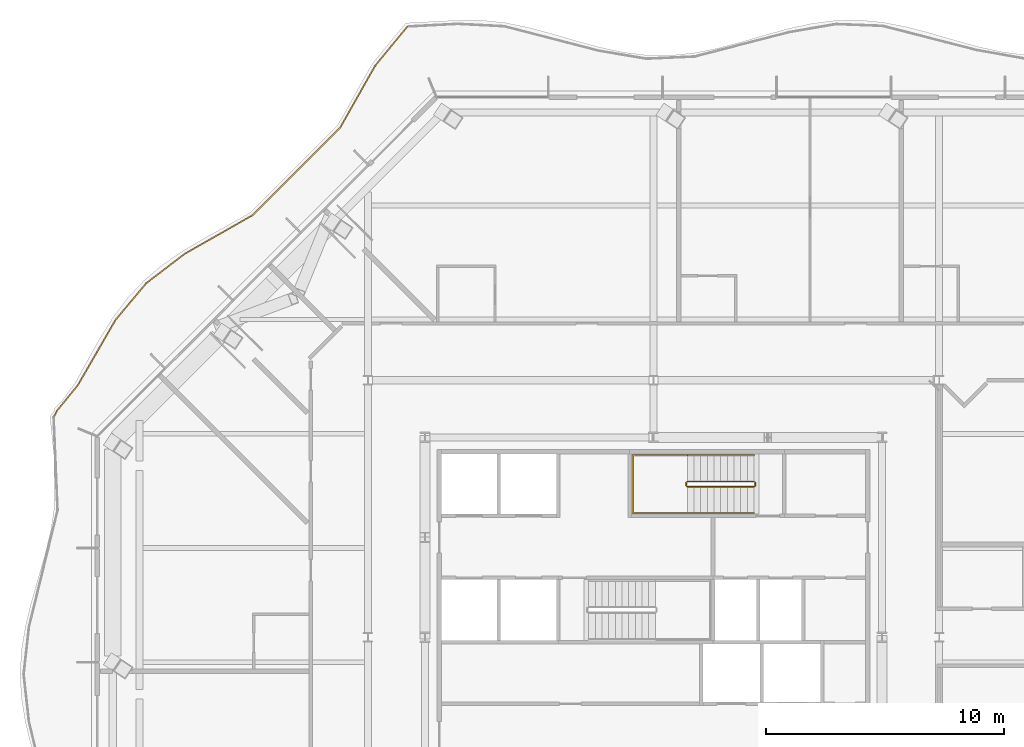
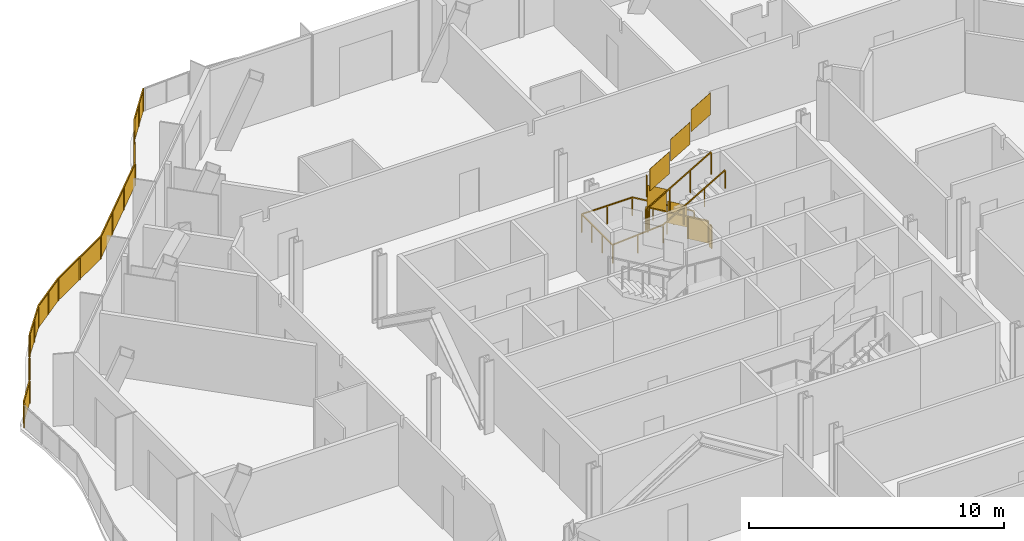
# One storey, part 18 of 19: 4 railings.
"""IFC4 building model written with IfcOpenShell, lengths in metres."""

from ifc_helpers import new_model, si_unit, direction, frame, origin, origin_2d, place, context, subcontext, project, spatial, polyline, rectangle, outline, extrude, material, type_object, element, save


model = new_model("IFC4")

# Units and contexts
model_context = context("Model", 3, precision=1e-05, world=origin(), true_north=direction((0.0, 1.0)))
body_context = subcontext(model_context, "Body", "Model", "MODEL_VIEW")
ifc_project = project(units=[si_unit("LENGTHUNIT", "METRE"), si_unit("AREAUNIT", "SQUARE_METRE"), si_unit("VOLUMEUNIT", "CUBIC_METRE"), si_unit("PLANEANGLEUNIT", "RADIAN"), si_unit("MASSUNIT", "GRAM", prefix="KILO")], contexts=[model_context])

# Site, building, storey
site_placement = place(None, origin())
site = spatial("IfcSite", under=ifc_project, at=site_placement, CompositionType="ELEMENT")
building_placement = place(site_placement, origin())
building = spatial("IfcBuilding", under=site, at=building_placement, Name="Cairn Pilgrim Tower", CompositionType="ELEMENT")
storey_placement = place(building_placement, frame((0.0, 0.0, 190.199951171875)))
storey = spatial("IfcBuildingStorey", under=building, at=storey_placement, Name="L48", CompositionType="ELEMENT", Elevation=190.199951171875)

# Railings
ifc_material_1 = material(Name="Bronze anodised aluminium rail and posts with laminated glass infill", Category="aluminium")
railing_type_1 = type_object("IfcRailingType", Name="BALCONY GUARD 1100", PredefinedType="GUARDRAIL", material=ifc_material_1)
railing_1_placement = place(storey_placement, frame((-3.139404296875, 28.072509765625, 0.0)))
element("IfcRailing", 1, at=railing_1_placement, inside=storey, type_object=railing_type_1, Name="Balcony guard BG-8", PredefinedType="GUARDRAIL", context=body_context, shape_type="SweptSolid", body=[
    extrude(rectangle(XDim=0.050048828125, YDim=0.050048828125, at=origin_2d()), frame((0.0, 0.0, 1.0751953125), z_axis=(-0.63563519836, -0.771989568975, 0.0), x_axis=(0.771989568975, -0.63563519836, 0.0)), (0.0, 0.0, 1.0), 2.137939453125),
    extrude(rectangle(XDim=0.050048828125, YDim=0.050048828125, at=origin_2d()), frame((-1.35888671875, -1.650390625, 1.0751953125), z_axis=(-0.492065322069, -0.870558279966, 0.0), x_axis=(0.870558279966, -0.492065322069, 0.0)), (0.0, 0.0, 1.0), 2.992431640625),
    extrude(rectangle(XDim=0.050048828125, YDim=0.050048828125, at=origin_2d()), frame((-2.831298828125, -4.25537109375, 1.0751953125), z_axis=(-0.707106781187, -0.707106781187, 0.0), x_axis=(0.707106781187, -0.707106781187, 0.0)), (0.0, 0.0, 1.0), 5.194091796875),
    extrude(rectangle(XDim=0.050048828125, YDim=0.050048828125, at=origin_2d()), frame((-6.504150390625, -7.92822265625, 1.0751953125), z_axis=(-0.86887566565, -0.495030380523, 0.0), x_axis=(0.495030380523, -0.86887566565, 0.0)), (0.0, 0.0, 1.0), 3.2978515625),
    extrude(rectangle(XDim=0.050048828125, YDim=0.050048828125, at=origin_2d()), frame((-9.36962890625, -9.560791015625, 1.0751953125), z_axis=(-0.794491090298, -0.607275808375, 0.0), x_axis=(0.607275808375, -0.794491090298, 0.0)), (0.0, 0.0, 1.0), 2.02783203125),
    extrude(rectangle(XDim=0.050048828125, YDim=0.050048828125, at=origin_2d()), frame((-10.980712890625, -10.792236328125, 1.0751953125), z_axis=(-0.641744451095, -0.766918548145, 0.0), x_axis=(0.766918548145, -0.641744451095, 0.0)), (0.0, 0.0, 1.0), 2.014892578125),
    extrude(rectangle(XDim=0.050048828125, YDim=0.050048828125, at=origin_2d()), frame((-12.273681640625, -12.33740234375, 1.0751953125), z_axis=(-0.499851692438, -0.866111012265, 0.0), x_axis=(0.866111012265, -0.499851692438, 0.0)), (0.0, 0.0, 1.0), 3.16162109375),
    extrude(rectangle(XDim=0.050048828125, YDim=0.050048828125, at=origin_2d()), frame((-13.85400390625, -15.07568359375, 1.0751953125), z_axis=(-0.632043617994, -0.774932813186, 0.0), x_axis=(0.774932813186, -0.632043617994, 0.0)), (0.0, 0.0, 1.0), 1.392578125),
    extrude(rectangle(XDim=0.050048828125, YDim=0.050048828125, at=origin_2d()), frame((-14.734130859375, -16.15478515625, 1.0751953125), z_axis=(-0.453750584985, -0.891128726182, 0.0), x_axis=(0.891128726182, -0.453750584985, 0.0)), (0.0, 0.0, 1.0), 0.313232421875),
    extrude(rectangle(XDim=0.050048828125, YDim=0.050048828125, at=origin_2d()), origin(), (0.0, 0.0, 1.0), 1.050048828125),
    extrude(rectangle(XDim=0.050048828125, YDim=0.050048828125, at=origin_2d()), frame((-0.679443359375, -0.8251953125, 0.0)), (0.0, 0.0, 1.0), 1.050048828125),
    extrude(rectangle(XDim=0.050048828125, YDim=0.050048828125, at=origin_2d()), frame((-1.35888671875, -1.650390625, 0.0)), (0.0, 0.0, 1.0), 1.050048828125),
    extrude(rectangle(XDim=0.050048828125, YDim=0.050048828125, at=origin_2d()), frame((-2.09521484375, -2.952880859375, 0.0)), (0.0, 0.0, 1.0), 1.050048828125),
    extrude(rectangle(XDim=0.050048828125, YDim=0.050048828125, at=origin_2d()), frame((-2.831298828125, -4.25537109375, 0.0)), (0.0, 0.0, 1.0), 1.050048828125),
    extrude(rectangle(XDim=0.050048828125, YDim=0.050048828125, at=origin_2d()), frame((-4.0556640625, -5.479736328125, 0.0)), (0.0, 0.0, 1.0), 1.050048828125),
    extrude(rectangle(XDim=0.050048828125, YDim=0.050048828125, at=origin_2d()), frame((-5.27978515625, -6.703857421875, 0.0)), (0.0, 0.0, 1.0), 1.050048828125),
    extrude(rectangle(XDim=0.050048828125, YDim=0.050048828125, at=origin_2d()), frame((-6.504150390625, -7.92822265625, 0.0)), (0.0, 0.0, 1.0), 1.050048828125),
    extrude(rectangle(XDim=0.050048828125, YDim=0.050048828125, at=origin_2d()), frame((-7.93701171875, -8.74462890625, 0.0)), (0.0, 0.0, 1.0), 1.050048828125),
    extrude(rectangle(XDim=0.050048828125, YDim=0.050048828125, at=origin_2d()), frame((-9.36962890625, -9.560791015625, 0.0)), (0.0, 0.0, 1.0), 1.050048828125),
    extrude(rectangle(XDim=0.050048828125, YDim=0.050048828125, at=origin_2d()), frame((-10.17529296875, -10.176513671875, 0.0)), (0.0, 0.0, 1.0), 1.050048828125),
    extrude(rectangle(XDim=0.050048828125, YDim=0.050048828125, at=origin_2d()), frame((-10.980712890625, -10.792236328125, 0.0)), (0.0, 0.0, 1.0), 1.050048828125),
    extrude(rectangle(XDim=0.050048828125, YDim=0.050048828125, at=origin_2d()), frame((-11.627197265625, -11.56494140625, 0.0)), (0.0, 0.0, 1.0), 1.050048828125),
    extrude(rectangle(XDim=0.050048828125, YDim=0.050048828125, at=origin_2d()), frame((-12.273681640625, -12.33740234375, 0.0)), (0.0, 0.0, 1.0), 1.050048828125),
    extrude(rectangle(XDim=0.050048828125, YDim=0.050048828125, at=origin_2d()), frame((-13.06396484375, -13.70654296875, 0.0)), (0.0, 0.0, 1.0), 1.050048828125),
    extrude(rectangle(XDim=0.050048828125, YDim=0.050048828125, at=origin_2d()), frame((-13.85400390625, -15.07568359375, 0.0)), (0.0, 0.0, 1.0), 1.050048828125),
    extrude(rectangle(XDim=0.050048828125, YDim=0.050048828125, at=origin_2d()), frame((-14.734130859375, -16.15478515625, 0.0)), (0.0, 0.0, 1.0), 1.050048828125),
    extrude(rectangle(XDim=0.050048828125, YDim=0.050048828125, at=origin_2d()), frame((-14.876220703125, -16.433837890625, 0.0)), (0.0, 0.0, 1.0), 1.050048828125),
    extrude(outline(polyline([(0.02490234375, 0.0), (1.0439453125, 0.0), (1.0439453125, 1.050048828125), (0.02490234375, 1.050048828125), (0.02490234375, 0.0)])), frame((0.004638671875, -0.00390625, 0.0), z_axis=(-0.771989568975, 0.63563519836, 0.0), x_axis=(-0.63563519836, -0.771989568975, 0.0)), (0.0, 0.0, 1.0), 0.011962890625),
    extrude(outline(polyline([(0.02490234375, 0.0), (1.0439453125, 0.0), (1.0439453125, 1.050048828125), (0.02490234375, 1.050048828125), (0.02490234375, 0.0)])), frame((-0.6748046875, -0.8291015625, 0.0), z_axis=(-0.771989568975, 0.63563519836, 0.0), x_axis=(-0.63563519836, -0.771989568975, 0.0)), (0.0, 0.0, 1.0), 0.011962890625),
    extrude(outline(polyline([(0.02490234375, 0.0), (1.47119140625, 0.0), (1.47119140625, 1.050048828125), (0.02490234375, 1.050048828125), (0.02490234375, 0.0)])), frame((-1.353759765625, -1.6533203125, 0.0), z_axis=(-0.870558279966, 0.492065322069, 0.0), x_axis=(-0.492065322069, -0.870558279966, 0.0)), (0.0, 0.0, 1.0), 0.011962890625),
    extrude(outline(polyline([(0.02490234375, 0.0), (1.47119140625, 0.0), (1.47119140625, 1.050048828125), (0.02490234375, 1.050048828125), (0.02490234375, 0.0)])), frame((-2.08984375, -2.955810546875, 0.0), z_axis=(-0.870558279966, 0.492065322069, 0.0), x_axis=(-0.492065322069, -0.870558279966, 0.0)), (0.0, 0.0, 1.0), 0.011962890625),
    extrude(outline(polyline([(0.02490234375, 0.0), (1.706298828125, 0.0), (1.706298828125, 1.050048828125), (0.02490234375, 1.050048828125), (0.02490234375, 0.0)])), frame((-2.8271484375, -4.259521484375, 0.0), z_axis=(-0.707106781187, 0.707106781187, 0.0), x_axis=(-0.707106781187, -0.707106781187, 0.0)), (0.0, 0.0, 1.0), 0.011962890625),
    extrude(outline(polyline([(0.02490234375, 0.0), (1.706298828125, 0.0), (1.706298828125, 1.050048828125), (0.02490234375, 1.050048828125), (0.02490234375, 0.0)])), frame((-4.05126953125, -5.48388671875, 0.0), z_axis=(-0.707106781187, 0.707106781187, 0.0), x_axis=(-0.707106781187, -0.707106781187, 0.0)), (0.0, 0.0, 1.0), 0.011962890625),
    extrude(outline(polyline([(0.02490234375, 0.0), (1.706298828125, 0.0), (1.706298828125, 1.050048828125), (0.02490234375, 1.050048828125), (0.02490234375, 0.0)])), frame((-5.275634765625, -6.708251953125, 0.0), z_axis=(-0.707106781187, 0.707106781187, 0.0), x_axis=(-0.707106781187, -0.707106781187, 0.0)), (0.0, 0.0, 1.0), 0.011962890625),
    extrude(outline(polyline([(0.02490234375, 0.0), (1.6240234375, 0.0), (1.6240234375, 1.050048828125), (0.02490234375, 1.050048828125), (0.02490234375, 0.0)])), frame((-6.501220703125, -7.933349609375, 0.0), z_axis=(-0.495030380523, 0.86887566565, 0.0), x_axis=(-0.86887566565, -0.495030380523, 0.0)), (0.0, 0.0, 1.0), 0.011962890625),
    extrude(outline(polyline([(0.02490234375, 0.0), (1.6240234375, 0.0), (1.6240234375, 1.050048828125), (0.02490234375, 1.050048828125), (0.02490234375, 0.0)])), frame((-7.933837890625, -8.749755859375, 0.0), z_axis=(-0.495030380523, 0.86887566565, 0.0), x_axis=(-0.86887566565, -0.495030380523, 0.0)), (0.0, 0.0, 1.0), 0.011962890625),
    extrude(outline(polyline([(0.02490234375, 0.0), (0.98876953125, 0.0), (0.98876953125, 1.050048828125), (0.02490234375, 1.050048828125), (0.02490234375, 0.0)])), frame((-9.365966796875, -9.5654296875, 0.0), z_axis=(-0.607275808375, 0.794491090298, 0.0), x_axis=(-0.794491090298, -0.607275808375, 0.0)), (0.0, 0.0, 1.0), 0.011962890625),
    extrude(outline(polyline([(0.02490234375, 0.0), (0.98876953125, 0.0), (0.98876953125, 1.050048828125), (0.02490234375, 1.050048828125), (0.02490234375, 0.0)])), frame((-10.171630859375, -10.18115234375, 0.0), z_axis=(-0.607275808375, 0.794491090298, 0.0), x_axis=(-0.794491090298, -0.607275808375, 0.0)), (0.0, 0.0, 1.0), 0.011962890625),
    extrude(outline(polyline([(0.02490234375, 0.0), (0.982421875, 0.0), (0.982421875, 1.050048828125), (0.02490234375, 1.050048828125), (0.02490234375, 0.0)])), frame((-10.97607421875, -10.796142578125, 0.0), z_axis=(-0.766918548145, 0.641744451095, 0.0), x_axis=(-0.641744451095, -0.766918548145, 0.0)), (0.0, 0.0, 1.0), 0.011962890625),
    extrude(outline(polyline([(0.02490234375, 0.0), (0.982421875, 0.0), (0.982421875, 1.050048828125), (0.02490234375, 1.050048828125), (0.02490234375, 0.0)])), frame((-11.62255859375, -11.568603515625, 0.0), z_axis=(-0.766918548145, 0.641744451095, 0.0), x_axis=(-0.641744451095, -0.766918548145, 0.0)), (0.0, 0.0, 1.0), 0.011962890625),
    extrude(outline(polyline([(0.02490234375, 0.0), (1.5556640625, 0.0), (1.5556640625, 1.050048828125), (0.02490234375, 1.050048828125), (0.02490234375, 0.0)])), frame((-12.2685546875, -12.34033203125, 0.0), z_axis=(-0.866111012265, 0.499851692438, 0.0), x_axis=(-0.499851692438, -0.866111012265, 0.0)), (0.0, 0.0, 1.0), 0.011962890625),
    extrude(outline(polyline([(0.02490234375, 0.0), (1.5556640625, 0.0), (1.5556640625, 1.050048828125), (0.02490234375, 1.050048828125), (0.02490234375, 0.0)])), frame((-13.05859375, -13.70947265625, 0.0), z_axis=(-0.866111012265, 0.499851692438, 0.0), x_axis=(-0.499851692438, -0.866111012265, 0.0)), (0.0, 0.0, 1.0), 0.011962890625),
    extrude(outline(polyline([(0.02490234375, 0.0), (1.367431640625, 0.0), (1.367431640625, 1.050048828125), (0.02490234375, 1.050048828125), (0.02490234375, 0.0)])), frame((-13.849365234375, -15.079345703125, 0.0), z_axis=(-0.774932813186, 0.632043617994, 0.0), x_axis=(-0.632043617994, -0.774932813186, 0.0)), (0.0, 0.0, 1.0), 0.011962890625),
    extrude(outline(polyline([(0.02490234375, 0.0), (0.2880859375, 0.0), (0.2880859375, 1.050048828125), (0.02490234375, 1.050048828125), (0.02490234375, 0.0)])), frame((-14.728759765625, -16.157470703125, 0.0), z_axis=(-0.891128726182, 0.453750584985, 0.0), x_axis=(-0.453750584985, -0.891128726182, 0.0)), (0.0, 0.0, 1.0), 0.011962890625),
])
ifc_material_2 = material(Name="Painted steel", Category="steel")
railing_type_2 = type_object("IfcRailingType", Name="STAIR GUARD 1100", PredefinedType="GUARDRAIL", material=ifc_material_2)
railing_2_placement = place(storey_placement, frame((11.425048828125, 8.949951171875, 0.16357421875)))
element("IfcRailing", 2, at=railing_2_placement, inside=storey, type_object=railing_type_2, Name="L48 ST-C stair guard 1", PredefinedType="GUARDRAIL", context=body_context, shape_type="SweptSolid", body=[
    extrude(rectangle(XDim=0.048095703125, YDim=0.048095703125, at=origin_2d()), frame((0.0, 0.0, 1.076171875), z_axis=(-0.863360870873, 0.0, 0.504586966384), x_axis=(0.0, -1.0, 0.0)), (0.0, 0.0, 1.0), 3.2431640625),
    extrude(rectangle(XDim=0.048095703125, YDim=0.048095703125, at=origin_2d()), frame((-2.800048828125, 0.0, 2.71240234375), z_axis=(-0.707106781187, -0.707106781187, 0.0), x_axis=(0.707106781187, -0.707106781187, 0.0)), (0.0, 0.0, 1.0), 0.07080078125),
    extrude(rectangle(XDim=0.048095703125, YDim=0.048095703125, at=origin_2d()), frame((-2.85009765625, -0.050048828125, 2.71240234375), z_axis=(0.0, -1.0, 0.0), x_axis=(1.0, 0.0, 0.0)), (0.0, 0.0, 1.0), 0.125),
    extrude(rectangle(XDim=0.048095703125, YDim=0.048095703125, at=origin_2d()), frame((-2.85009765625, -0.175048828125, 2.71240234375), z_axis=(0.280916556609, -0.279546231943, 0.91811752648), x_axis=(0.705375805398, 0.708833529934, 0.0)), (0.0, 0.0, 1.0), 0.17822265625),
    extrude(rectangle(XDim=0.048095703125, YDim=0.048095703125, at=origin_2d()), frame((-2.800048828125, -0.224853515625, 2.8759765625), z_axis=(0.863360870873, 0.0, 0.504586966384), x_axis=(0.0, 1.0, 0.0)), (0.0, 0.0, 1.0), 3.2431640625),
    extrude(rectangle(XDim=0.0419921875, YDim=0.0419921875, at=origin_2d()), origin(), (0.0, 0.0, 1.0), 1.052001953125),
    extrude(rectangle(XDim=0.0419921875, YDim=0.0419921875, at=origin_2d()), frame((-0.933349609375, 0.0, 0.54541015625)), (0.0, 0.0, 1.0), 1.052001953125),
    extrude(rectangle(XDim=0.0419921875, YDim=0.0419921875, at=origin_2d()), frame((-1.86669921875, 0.0, 1.091064453125)), (0.0, 0.0, 1.0), 1.052001953125),
    extrude(rectangle(XDim=0.0419921875, YDim=0.0419921875, at=origin_2d()), frame((-2.800048828125, 0.0, 1.636474609375)), (0.0, 0.0, 1.0), 1.052001953125),
    extrude(rectangle(XDim=0.0419921875, YDim=0.0419921875, at=origin_2d()), frame((-2.85009765625, -0.050048828125, 1.636474609375)), (0.0, 0.0, 1.0), 1.052001953125),
    extrude(rectangle(XDim=0.0419921875, YDim=0.0419921875, at=origin_2d()), frame((-2.85009765625, -0.175048828125, 1.636474609375)), (0.0, 0.0, 1.0), 1.052001953125),
    extrude(rectangle(XDim=0.0419921875, YDim=0.0419921875, at=origin_2d()), frame((-2.800048828125, -0.224853515625, 1.800048828125)), (0.0, 0.0, 1.0), 1.052001953125),
    extrude(rectangle(XDim=0.0419921875, YDim=0.0419921875, at=origin_2d()), frame((-1.86669921875, -0.224853515625, 2.345458984375)), (0.0, 0.0, 1.0), 1.052001953125),
    extrude(rectangle(XDim=0.0419921875, YDim=0.0419921875, at=origin_2d()), frame((-0.933349609375, -0.224853515625, 2.89111328125)), (0.0, 0.0, 1.0), 1.052001953125),
    extrude(rectangle(XDim=0.0419921875, YDim=0.0419921875, at=origin_2d()), frame((0.0, -0.224853515625, 3.4365234375)), (0.0, 0.0, 1.0), 1.052001953125),
    extrude(outline(polyline([(0.02099609375, 0.01220703125), (0.912353515625, 0.533203125), (0.912353515625, 1.585205078125), (0.02099609375, 1.064208984375), (0.02099609375, 0.01220703125)])), frame((0.0, -0.005859375, 0.0), z_axis=(0.0, 1.0, 0.0), x_axis=(-1.0, 0.0, 0.0)), (0.0, 0.0, 1.0), 0.011962890625),
    extrude(outline(polyline([(0.02099609375, 0.557861328125), (0.912353515625, 1.07861328125), (0.912353515625, 2.130615234375), (0.02099609375, 1.60986328125), (0.02099609375, 0.557861328125)])), frame((-0.933349609375, -0.005859375, 0.54541015625), z_axis=(0.0, 1.0, 0.0), x_axis=(-1.0, 0.0, 0.0)), (0.0, 0.0, 1.0), 0.011962890625),
    extrude(outline(polyline([(0.02099609375, 1.103271484375), (0.912353515625, 1.624267578125), (0.912353515625, 2.67626953125), (0.02099609375, 2.1552734375), (0.02099609375, 1.103271484375)])), frame((-1.86669921875, -0.005859375, 1.091064453125), z_axis=(0.0, 1.0, 0.0), x_axis=(-1.0, 0.0, 0.0)), (0.0, 0.0, 1.0), 0.011962890625),
    extrude(outline(polyline([(0.02099609375, 1.636474609375), (0.10400390625, 1.636474609375), (0.10400390625, 2.6884765625), (0.02099609375, 2.6884765625), (0.02099609375, 1.636474609375)])), frame((-2.84423828125, -0.050048828125, 1.636474609375), z_axis=(-1.0, 0.0, 0.0), x_axis=(0.0, -1.0, 0.0)), (0.0, 0.0, 1.0), 0.011962890625),
    extrude(outline(polyline([(0.02099609375, 1.812255859375), (0.912353515625, 2.333251953125), (0.912353515625, 3.38525390625), (0.02099609375, 2.8642578125), (0.02099609375, 1.812255859375)])), frame((-2.800048828125, -0.21875, 1.800048828125), z_axis=(0.0, -1.0, 0.0), x_axis=(1.0, 0.0, 0.0)), (0.0, 0.0, 1.0), 0.011962890625),
    extrude(outline(polyline([(0.02099609375, 2.35791015625), (0.912353515625, 2.878662109375), (0.912353515625, 3.9306640625), (0.02099609375, 3.409912109375), (0.02099609375, 2.35791015625)])), frame((-1.86669921875, -0.21875, 2.345458984375), z_axis=(0.0, -1.0, 0.0), x_axis=(1.0, 0.0, 0.0)), (0.0, 0.0, 1.0), 0.011962890625),
    extrude(outline(polyline([(0.02099609375, 2.9033203125), (0.912353515625, 3.42431640625), (0.912353515625, 4.476318359375), (0.02099609375, 3.955322265625), (0.02099609375, 2.9033203125)])), frame((-0.933349609375, -0.21875, 2.89111328125), z_axis=(0.0, -1.0, 0.0), x_axis=(1.0, 0.0, 0.0)), (0.0, 0.0, 1.0), 0.011962890625),
])
railing_3_placement = place(storey_placement, frame((11.47509765625, 8.89990234375, 0.0)))
element("IfcRailing", 3, at=railing_3_placement, inside=storey, type_object=railing_type_2, Name="L48 ST-C stair guard 2", PredefinedType="GUARDRAIL", context=body_context, shape_type="SweptSolid", body=[
    extrude(rectangle(XDim=0.048095703125, YDim=0.048095703125, at=origin_2d()), frame((0.0, 0.0, 1.076171875), z_axis=(0.0, -1.0, 0.0), x_axis=(1.0, 0.0, 0.0)), (0.0, 0.0, 1.0), 0.125),
    extrude(rectangle(XDim=0.0419921875, YDim=0.0419921875, at=origin_2d()), origin(), (0.0, 0.0, 1.0), 1.052001953125),
    extrude(rectangle(XDim=0.0419921875, YDim=0.0419921875, at=origin_2d()), frame((0.0, -0.125, 0.0)), (0.0, 0.0, 1.0), 1.052001953125),
    extrude(outline(polyline([(0.02099609375, 0.0), (0.10400390625, 0.0), (0.10400390625, 1.052001953125), (0.02099609375, 1.052001953125), (0.02099609375, 0.0)])), frame((0.005859375, 0.0, 0.0), z_axis=(-1.0, 0.0, 0.0), x_axis=(0.0, -1.0, 0.0)), (0.0, 0.0, 1.0), 0.011962890625),
])
railing_type_3 = type_object("IfcRailingType", Name="STAIR HANDRAIL 900", PredefinedType="HANDRAIL", material=ifc_material_2)
railing_4_placement = place(storey_placement, frame((11.425048828125, 10.050048828125, 0.16357421875)))
element("IfcRailing", 4, at=railing_4_placement, inside=storey, type_object=railing_type_3, Name="L48 ST-C stair handrail 1", PredefinedType="HANDRAIL", context=body_context, shape_type="SweptSolid", body=[
    extrude(rectangle(XDim=0.048095703125, YDim=0.048095703125, at=origin_2d()), frame((0.0, 0.0, 0.8759765625), z_axis=(-0.863360870873, 0.0, 0.504586966384), x_axis=(0.0, -1.0, 0.0)), (0.0, 0.0, 1.0), 3.2431640625),
    extrude(rectangle(XDim=0.048095703125, YDim=0.048095703125, at=origin_2d()), frame((-2.800048828125, 0.0, 2.51220703125), z_axis=(-1.0, 0.0, 0.0), x_axis=(0.0, -1.0, 0.0)), (0.0, 0.0, 1.0), 2.300048828125),
    extrude(rectangle(XDim=0.048095703125, YDim=0.048095703125, at=origin_2d()), frame((-5.10009765625, 0.0, 2.51220703125), z_axis=(0.0, -1.0, 0.0), x_axis=(1.0, 0.0, 0.0)), (0.0, 0.0, 1.0), 2.425048828125),
    extrude(rectangle(XDim=0.048095703125, YDim=0.048095703125, at=origin_2d()), frame((-5.10009765625, -2.425048828125, 2.51220703125), z_axis=(0.997480687736, 0.0, 0.070938548008), x_axis=(0.0, 1.0, 0.0)), (0.0, 0.0, 1.0), 2.305908203125),
    extrude(rectangle(XDim=0.048095703125, YDim=0.048095703125, at=origin_2d()), frame((-2.800048828125, -2.425048828125, 2.67578125), z_axis=(0.863360870873, 0.0, 0.504586966384), x_axis=(0.0, 1.0, 0.0)), (0.0, 0.0, 1.0), 3.2431640625),
    extrude(rectangle(XDim=0.0419921875, YDim=0.0419921875, at=origin_2d()), origin(), (0.0, 0.0, 1.0), 0.851806640625),
    extrude(rectangle(XDim=0.0419921875, YDim=0.0419921875, at=origin_2d()), frame((-0.933349609375, 0.0, 0.54541015625)), (0.0, 0.0, 1.0), 0.851806640625),
    extrude(rectangle(XDim=0.0419921875, YDim=0.0419921875, at=origin_2d()), frame((-1.86669921875, 0.0, 1.091064453125)), (0.0, 0.0, 1.0), 0.851806640625),
    extrude(rectangle(XDim=0.0419921875, YDim=0.0419921875, at=origin_2d()), frame((-2.800048828125, 0.0, 1.636474609375)), (0.0, 0.0, 1.0), 0.851806640625),
    extrude(rectangle(XDim=0.0419921875, YDim=0.0419921875, at=origin_2d()), frame((-3.9501953125, 0.0, 1.636474609375)), (0.0, 0.0, 1.0), 0.851806640625),
    extrude(rectangle(XDim=0.0419921875, YDim=0.0419921875, at=origin_2d()), frame((-5.10009765625, 0.0, 1.636474609375)), (0.0, 0.0, 1.0), 0.851806640625),
    extrude(rectangle(XDim=0.0419921875, YDim=0.0419921875, at=origin_2d()), frame((-5.10009765625, -0.808349609375, 1.636474609375)), (0.0, 0.0, 1.0), 0.851806640625),
    extrude(rectangle(XDim=0.0419921875, YDim=0.0419921875, at=origin_2d()), frame((-5.10009765625, -1.61669921875, 1.636474609375)), (0.0, 0.0, 1.0), 0.851806640625),
    extrude(rectangle(XDim=0.0419921875, YDim=0.0419921875, at=origin_2d()), frame((-5.10009765625, -2.425048828125, 1.636474609375)), (0.0, 0.0, 1.0), 0.851806640625),
    extrude(rectangle(XDim=0.0419921875, YDim=0.0419921875, at=origin_2d()), frame((-3.9501953125, -2.425048828125, 1.71826171875)), (0.0, 0.0, 1.0), 0.851806640625),
    extrude(rectangle(XDim=0.0419921875, YDim=0.0419921875, at=origin_2d()), frame((-2.800048828125, -2.425048828125, 1.800048828125)), (0.0, 0.0, 1.0), 0.851806640625),
    extrude(rectangle(XDim=0.0419921875, YDim=0.0419921875, at=origin_2d()), frame((-1.86669921875, -2.425048828125, 2.345458984375)), (0.0, 0.0, 1.0), 0.851806640625),
    extrude(rectangle(XDim=0.0419921875, YDim=0.0419921875, at=origin_2d()), frame((-0.933349609375, -2.425048828125, 2.89111328125)), (0.0, 0.0, 1.0), 0.851806640625),
    extrude(rectangle(XDim=0.0419921875, YDim=0.0419921875, at=origin_2d()), frame((0.0, -2.425048828125, 3.4365234375)), (0.0, 0.0, 1.0), 0.851806640625),
])

save(model, "model.ifc")
